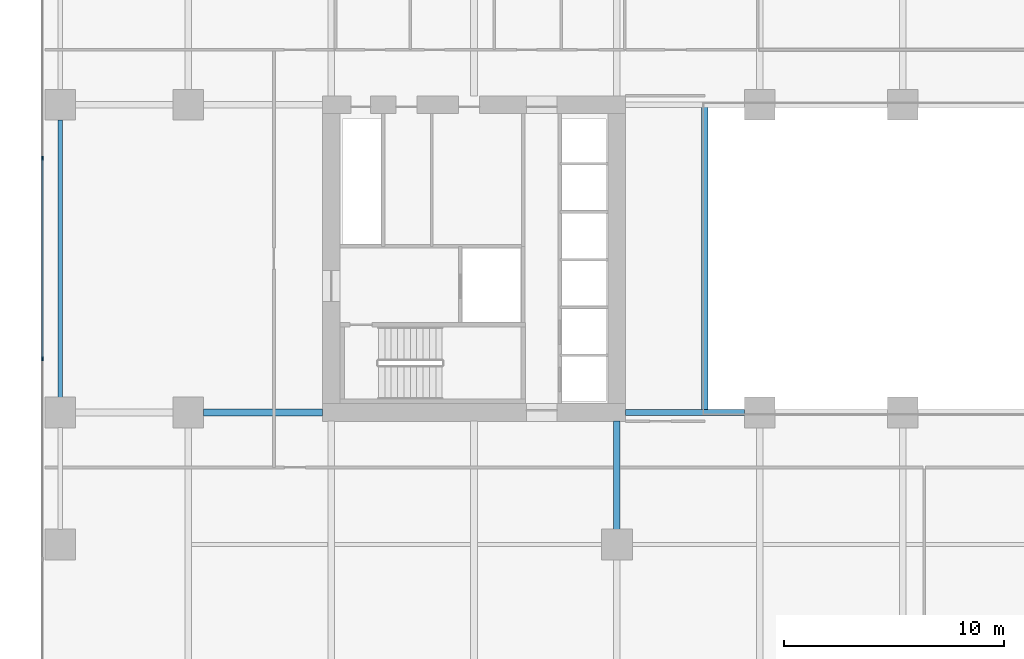
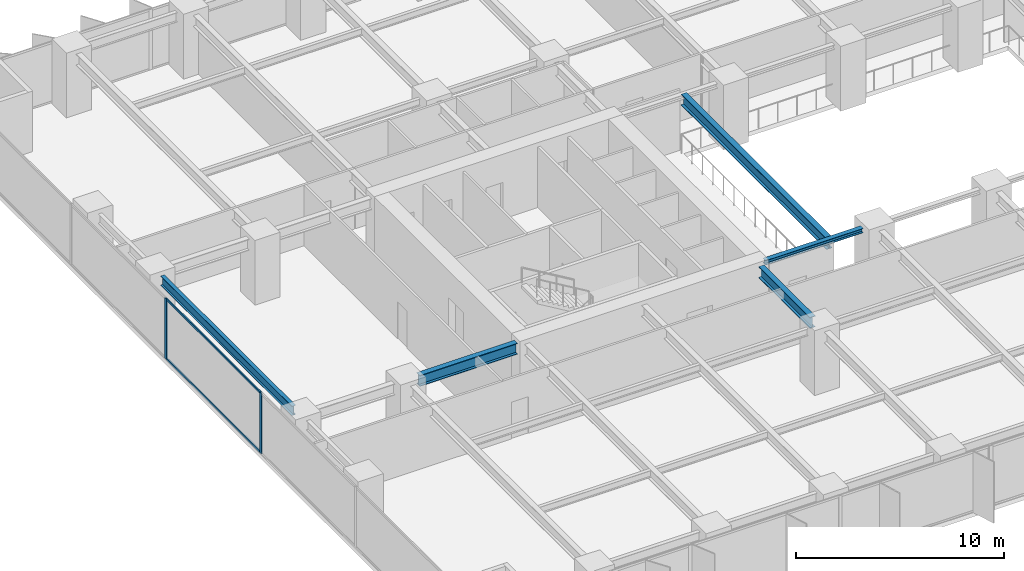
# One storey, part 4 of 20: 5 beams, 4 members, 1 element without a shape of its own.
"""IFC4 building model written with IfcOpenShell, lengths in metres."""

from ifc_helpers import new_model, si_unit, direction, frame, origin, origin_2d, place, context, subcontext, project, spatial, rectangle, i_section, extrude, material, layer, layer_set, material_profile, profile_set, type_object, element, aggregate, save


model = new_model("IFC4")

# Units and contexts
model_context = context("Model", 3, precision=1e-05, world=origin(), true_north=direction((0.0, 1.0)))
body_context = subcontext(model_context, "Body", "Model", "MODEL_VIEW")
ifc_project = project(units=[si_unit("LENGTHUNIT", "METRE"), si_unit("AREAUNIT", "SQUARE_METRE"), si_unit("VOLUMEUNIT", "CUBIC_METRE"), si_unit("PLANEANGLEUNIT", "RADIAN"), si_unit("MASSUNIT", "GRAM", prefix="KILO")], contexts=[model_context])

# Site, building, storey
site_placement = place(None, origin())
site = spatial("IfcSite", under=ifc_project, at=site_placement, CompositionType="ELEMENT")
building_placement = place(site_placement, origin())
building = spatial("IfcBuilding", under=site, at=building_placement, Name="Putna Gate Headquarters", CompositionType="ELEMENT")
storey_placement = place(building_placement, frame((0.0, 0.0, 35.39990234375)))
storey = spatial("IfcBuildingStorey", under=building, at=storey_placement, Name="L07", CompositionType="ELEMENT", Elevation=35.39990234375)

# Beams
ifc_material_1 = material(Name="Steel S355J2", Category="steel")
ifc_material_profile_1 = material_profile(ifc_material_1, i_section(OverallWidth=0.260009765625, OverallDepth=0.260009765625, WebThickness=0.010009765625, FlangeThickness=0.017578125, at=origin_2d()), Name="Steel S355J2")
ifc_profile_set_1 = profile_set([ifc_material_profile_1], Name="Steel S355J2")
beam_type_1 = type_object("IfcBeamType", Name="BM-ATRIUM-HEB260", PredefinedType="BEAM", material=ifc_profile_set_1)
beam_1_placement = place(storey_placement, frame((26.385009765625, 19.0, 3.420166015625), z_axis=(1.0, 0.0, 0.0), x_axis=(0.0, 1.0, 0.0)))
element("IfcBeam", 1, at=beam_1_placement, inside=storey, type_object=beam_type_1, Name="L07 Atrium Edge Beam AS1", PredefinedType="BEAM", context=body_context, shape_type="SweptSolid", body=[
    extrude(i_section(OverallWidth=0.260009765625, OverallDepth=0.260009765625, WebThickness=0.010009765625, FlangeThickness=0.017578125, at=origin_2d()), origin(), (0.0, 0.0, 1.0), 5.427001953125),
])
ifc_material_profile_2 = material_profile(ifc_material_1, i_section(OverallWidth=0.300048828125, OverallDepth=0.64990234375, WebThickness=0.01611328125, FlangeThickness=0.031005859375, at=origin_2d()), Name="Steel S355J2")
ifc_profile_set_2 = profile_set([ifc_material_profile_2], Name="Steel S355J2")
beam_type_2 = type_object("IfcBeamType", Name="BM-GIRD-Z1-HEB650", PredefinedType="USERDEFINED", material=ifc_profile_set_2)
beam_2_placement = place(storey_placement, frame((7.18798828125, 19.0, 3.22509765625), z_axis=(1.0, 0.0, 0.0), x_axis=(0.0, 1.0, 0.0)))
element("IfcBeam", 2, at=beam_2_placement, inside=storey, type_object=beam_type_2, Name="L07 West Wing Girder Y19-2", ObjectType="GIRDER", PredefinedType="USERDEFINED", context=body_context, shape_type="SweptSolid", body=[
    extrude(i_section(OverallWidth=0.300048828125, OverallDepth=0.64990234375, WebThickness=0.01611328125, FlangeThickness=0.031005859375, at=origin_2d()), origin(), (0.0, 0.0, 1.0), 5.427001953125),
])
beam_3_placement = place(storey_placement, frame((26.0, 13.68798828125, 3.22509765625), z_axis=(0.0, 1.0, 0.0), x_axis=(-1.0, 0.0, 0.0)))
element("IfcBeam", 3, at=beam_3_placement, inside=storey, type_object=beam_type_2, Name="L07 South Primary Girder X26-2", ObjectType="GIRDER", PredefinedType="USERDEFINED", context=body_context, shape_type="SweptSolid", body=[
    extrude(i_section(OverallWidth=0.300048828125, OverallDepth=0.64990234375, WebThickness=0.01611328125, FlangeThickness=0.031005859375, at=origin_2d()), origin(), (0.0, 0.0, 1.0), 4.927001953125),
])
beam_4_placement = place(storey_placement, frame((30.0, 19.010009765625, 3.22509765625), z_axis=(0.0, 1.0, 0.0), x_axis=(-1.0, 0.0, 0.0)))
element("IfcBeam", 4, at=beam_4_placement, inside=storey, type_object=beam_type_2, Name="L07 Atrium Trim Girder AW", ObjectType="GIRDER", PredefinedType="USERDEFINED", context=body_context, shape_type="SweptSolid", body=[
    extrude(i_section(OverallWidth=0.300048828125, OverallDepth=0.64990234375, WebThickness=0.01611328125, FlangeThickness=0.031005859375, at=origin_2d()), origin(), (0.0, 0.0, 1.0), 13.97998046875),
])
ifc_material_profile_3 = material_profile(ifc_material_1, i_section(OverallWidth=0.2099609375, OverallDepth=0.550048828125, WebThickness=0.010986328125, FlangeThickness=0.01708984375, at=origin_2d()), Name="Steel S355J2")
ifc_profile_set_3 = profile_set([ifc_material_profile_3], Name="Steel S355J2")
beam_type_3 = type_object("IfcBeamType", Name="BM-SPAN-Z1-IPE550", PredefinedType="SPANDREL", material=ifc_profile_set_3)
beam_5_placement = place(storey_placement, frame((0.679931640625, 19.68798828125, 3.275146484375), z_axis=(0.0, 1.0, 0.0), x_axis=(-1.0, 0.0, 0.0)))
element("IfcBeam", 5, at=beam_5_placement, inside=storey, type_object=beam_type_3, Name="L07 W End Spandrel 2", PredefinedType="SPANDREL", context=body_context, shape_type="SweptSolid", body=[
    extrude(i_section(OverallWidth=0.2099609375, OverallDepth=0.550048828125, WebThickness=0.010986328125, FlangeThickness=0.01708984375, at=origin_2d()), origin(), (0.0, 0.0, 1.0), 12.6240234375),
])

# Curtain wall, members
ifc_material_2 = material(Name="Anodised bronze aluminium curtain wall", Category="aluminium")
ifc_layer = layer(ifc_material_2, 0.179931640625)
ifc_layer_set = layer_set([ifc_layer], Name="Anodised bronze aluminium curtain wall")
curtain_wall_type = type_object("IfcCurtainWallType", Name="CW-SYS-Z1", PredefinedType="USERDEFINED", material=ifc_layer_set)
curtain_wall_placement = place(storey_placement, origin())
curtain_wall = element("IfcCurtainWall", 6, at=curtain_wall_placement, inside=storey, type_object=curtain_wall_type, Name="L07 West Curtain Wall", ObjectType="STICK CURTAIN WALL", PredefinedType="USERDEFINED")
ifc_material_3 = material(Name="Anodised bronze aluminium EN AW-6060", Category="aluminium")
ifc_material_profile_4 = material_profile(ifc_material_3, rectangle(XDim=0.070068359375, YDim=0.179931640625, at=origin_2d()), Name="Anodised bronze aluminium EN AW-6060")
ifc_profile_set_4 = profile_set([ifc_material_profile_4], Name="Anodised bronze aluminium EN AW-6060")
member_type_1 = type_object("IfcMemberType", Name="MULL-CWM-1", PredefinedType="MULLION", material=ifc_profile_set_4)
member_1_placement = place(storey_placement, frame((-0.1201171875, 21.43994140625, 0.0), z_axis=(0.0, 0.0, 1.0), x_axis=(-1.0, 0.0, 0.0)))
member_1 = element("IfcMember", 7, at=member_1_placement, type_object=member_type_1, Name="CWS-1 mullion 3", PredefinedType="MULLION", context=body_context, shape_type="SweptSolid", body=[
    extrude(rectangle(XDim=0.070068359375, YDim=0.179931640625, at=origin_2d()), origin(), (0.0, 0.0, 1.0), 3.550048828125),
])
member_2_placement = place(storey_placement, frame((-0.1201171875, 30.56005859375, 0.0), z_axis=(0.0, 0.0, 1.0), x_axis=(-1.0, 0.0, 0.0)))
member_2 = element("IfcMember", 8, at=member_2_placement, type_object=member_type_1, Name="CWS-1 mullion 4", PredefinedType="MULLION", context=body_context, shape_type="SweptSolid", body=[
    extrude(rectangle(XDim=0.070068359375, YDim=0.179931640625, at=origin_2d()), origin(), (0.0, 0.0, 1.0), 3.550048828125),
])
ifc_material_profile_5 = material_profile(ifc_material_3, rectangle(XDim=0.06494140625, YDim=0.1201171875, at=origin_2d()), Name="Anodised bronze aluminium EN AW-6060")
ifc_profile_set_5 = profile_set([ifc_material_profile_5], Name="Anodised bronze aluminium EN AW-6060")
member_type_2 = type_object("IfcMemberType", Name="TRAN-CWT-1", PredefinedType="USERDEFINED", material=ifc_profile_set_5)
member_3_placement = place(storey_placement, frame((-0.1201171875, 21.47509765625, 0.03271484375), z_axis=(0.0, 1.0, 0.0), x_axis=(-1.0, 0.0, 0.0)))
member_3 = element("IfcMember", 9, at=member_3_placement, type_object=member_type_2, Name="CWS-1 transom 3.1", ObjectType="TRANSOM", PredefinedType="USERDEFINED", context=body_context, shape_type="SweptSolid", body=[
    extrude(rectangle(XDim=0.06494140625, YDim=0.1201171875, at=origin_2d()), origin(), (0.0, 0.0, 1.0), 9.0498046875),
])
member_4_placement = place(storey_placement, frame((-0.1201171875, 21.47509765625, 3.517578125), z_axis=(0.0, 1.0, 0.0), x_axis=(-1.0, 0.0, 0.0)))
member_4 = element("IfcMember", 10, at=member_4_placement, type_object=member_type_2, Name="CWS-1 transom 3.2", ObjectType="TRANSOM", PredefinedType="USERDEFINED", context=body_context, shape_type="SweptSolid", body=[
    extrude(rectangle(XDim=0.06494140625, YDim=0.1201171875, at=origin_2d()), origin(), (0.0, 0.0, 1.0), 9.0498046875),
])
aggregate(curtain_wall, [member_1, member_2, member_3, member_4])

save(model, "model.ifc")
